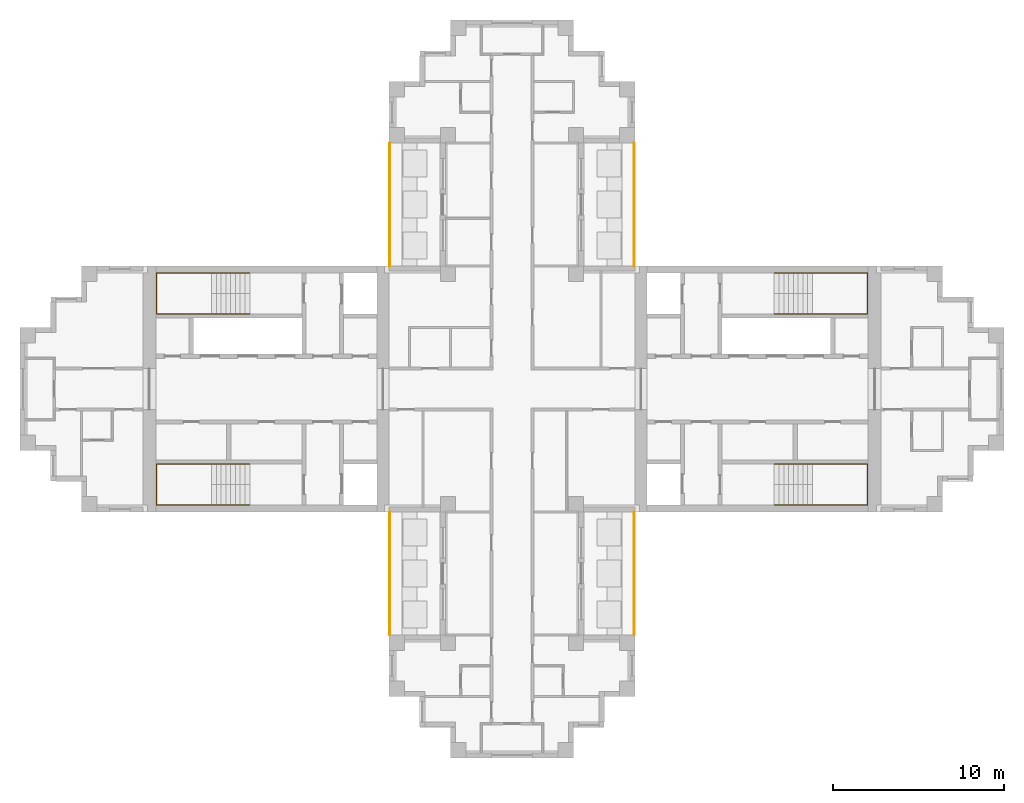
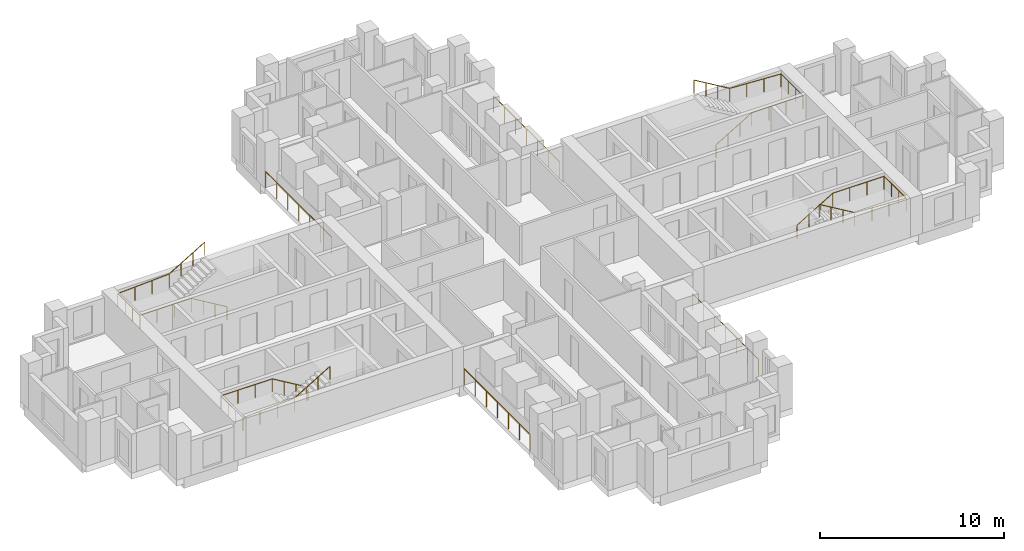
# One storey, part 9 of 10: 8 railings.
"""IFC4 building model written with IfcOpenShell, lengths in metres."""

from ifc_helpers import new_model, si_unit, direction, frame, origin, origin_2d, place, context, subcontext, project, spatial, circle, extrude, material, type_object, element, save


model = new_model("IFC4")

# Units and contexts
model_context = context("Model", 3, precision=1e-05, world=origin(), true_north=direction((0.0, 1.0)))
body_context = subcontext(model_context, "Body", "Model", "MODEL_VIEW")
ifc_project = project(units=[si_unit("LENGTHUNIT", "METRE"), si_unit("AREAUNIT", "SQUARE_METRE"), si_unit("VOLUMEUNIT", "CUBIC_METRE"), si_unit("PLANEANGLEUNIT", "RADIAN"), si_unit("MASSUNIT", "GRAM", prefix="KILO")], contexts=[model_context])

# Site, building, storey
site_placement = place(None, origin())
site = spatial("IfcSite", under=ifc_project, at=site_placement, CompositionType="ELEMENT")
building_placement = place(site_placement, origin())
building = spatial("IfcBuilding", under=site, at=building_placement, Name="Fustian Cross Tower", CompositionType="ELEMENT")
storey_placement = place(building_placement, frame((0.0, 0.0, 225.89990234375)))
storey = spatial("IfcBuildingStorey", under=building, at=storey_placement, Name="L71", CompositionType="ELEMENT", Elevation=225.89990234375)

# Railings
ifc_material_1 = material(Name="Stainless steel and glass", Category="steel")
railing_type_1 = type_object("IfcRailingType", Name="GR1 BALCONY GUARD 1100", PredefinedType="GUARDRAIL", material=ifc_material_1)
for number, where, name in (
    (1, (7.14990234375, 7.199951171875, 0.0), "Balcony guard"),
    (2, (-7.14990234375, 7.199951171875, 0.0), "Balcony guard"),
    (3, (7.14990234375, -14.39990234375, 0.0), "Balcony guard"),
    (4, (-7.14990234375, -14.39990234375, 0.0), "Balcony guard"),
):
    element("IfcRailing", number, at=place(storey_placement, frame(where)), inside=storey, type_object=railing_type_1, Name=name, PredefinedType="GUARDRAIL", context=body_context, shape_type="SweptSolid", body=[
        extrude(circle(Radius=0.02392578125, at=origin_2d()), frame((0.0, 0.0, 1.076171875), z_axis=(0.0, 1.0, 0.0), x_axis=(-1.0, 0.0, 0.0)), (0.0, 0.0, 1.0), 7.199951171875),
        extrude(circle(Radius=0.02099609375, at=origin_2d()), origin(), (0.0, 0.0, 1.0), 1.052001953125),
        extrude(circle(Radius=0.02099609375, at=origin_2d()), frame((0.0, 1.199951171875, 0.0)), (0.0, 0.0, 1.0), 1.052001953125),
        extrude(circle(Radius=0.02099609375, at=origin_2d()), frame((0.0, 2.39990234375, 0.0)), (0.0, 0.0, 1.0), 1.052001953125),
        extrude(circle(Radius=0.02099609375, at=origin_2d()), frame((0.0, 3.60009765625, 0.0)), (0.0, 0.0, 1.0), 1.052001953125),
        extrude(circle(Radius=0.02099609375, at=origin_2d()), frame((0.0, 4.800048828125, 0.0)), (0.0, 0.0, 1.0), 1.052001953125),
        extrude(circle(Radius=0.02099609375, at=origin_2d()), frame((0.0, 6.0, 0.0)), (0.0, 0.0, 1.0), 1.052001953125),
        extrude(circle(Radius=0.02099609375, at=origin_2d()), frame((0.0, 7.199951171875, 0.0)), (0.0, 0.0, 1.0), 1.052001953125),
    ])
ifc_material_2 = material(Name="Stainless steel", Category="steel")
railing_type_2 = type_object("IfcRailingType", Name="STAIR HANDRAIL", PredefinedType="HANDRAIL", material=ifc_material_2)
railing_1_placement = place(storey_placement, frame((15.35009765625, 4.39990234375, 0.166748046875)))
element("IfcRailing", 5, at=railing_1_placement, inside=storey, type_object=railing_type_2, Name="Stair ST1 handrail 1", PredefinedType="HANDRAIL", context=body_context, shape_type="SweptSolid", body=[
    extrude(circle(Radius=0.02490234375, at=origin_2d()), frame((0.0, 0.0, 0.875), z_axis=(0.859305625298, 0.0, 0.511462454469), x_axis=(0.0, 1.0, 0.0)), (0.0, 0.0, 1.0), 2.606689453125),
    extrude(circle(Radius=0.02490234375, at=origin_2d()), frame((2.239990234375, 0.0, 2.2080078125), z_axis=(1.0, 0.0, 0.0), x_axis=(0.0, 1.0, 0.0)), (0.0, 0.0, 1.0), 3.219970703125),
    extrude(circle(Radius=0.02490234375, at=origin_2d()), frame((5.4599609375, 0.0, 2.2080078125), z_axis=(0.0, 1.0, 0.0), x_axis=(-1.0, 0.0, 0.0)), (0.0, 0.0, 1.0), 2.400146484375),
    extrude(circle(Radius=0.02490234375, at=origin_2d()), frame((5.4599609375, 2.400146484375, 2.2080078125), z_axis=(-0.998661817807, 0.0, 0.051716280352), x_axis=(0.0, -1.0, 0.0)), (0.0, 0.0, 1.0), 3.224365234375),
    extrude(circle(Radius=0.02490234375, at=origin_2d()), frame((2.239990234375, 2.400146484375, 2.375), z_axis=(-0.859305625298, 0.0, 0.511462454469), x_axis=(0.0, -1.0, 0.0)), (0.0, 0.0, 1.0), 2.606689453125),
    extrude(circle(Radius=0.02001953125, at=origin_2d()), origin(), (0.0, 0.0, 1.0), 0.849853515625),
    extrude(circle(Radius=0.02001953125, at=origin_2d()), frame((0.74658203125, 0.0, 0.4443359375)), (0.0, 0.0, 1.0), 0.849853515625),
    extrude(circle(Radius=0.02001953125, at=origin_2d()), frame((1.493408203125, 0.0, 0.888916015625)), (0.0, 0.0, 1.0), 0.849853515625),
    extrude(circle(Radius=0.02001953125, at=origin_2d()), frame((2.239990234375, 0.0, 1.333251953125)), (0.0, 0.0, 1.0), 0.849853515625),
    extrude(circle(Radius=0.02001953125, at=origin_2d()), frame((3.313232421875, 0.0, 1.333251953125)), (0.0, 0.0, 1.0), 0.849853515625),
    extrude(circle(Radius=0.02001953125, at=origin_2d()), frame((4.38671875, 0.0, 1.333251953125)), (0.0, 0.0, 1.0), 0.849853515625),
    extrude(circle(Radius=0.02001953125, at=origin_2d()), frame((5.4599609375, 0.0, 1.333251953125)), (0.0, 0.0, 1.0), 0.849853515625),
    extrude(circle(Radius=0.02001953125, at=origin_2d()), frame((5.4599609375, 0.800048828125, 1.333251953125)), (0.0, 0.0, 1.0), 0.849853515625),
    extrude(circle(Radius=0.02001953125, at=origin_2d()), frame((5.4599609375, 1.60009765625, 1.333251953125)), (0.0, 0.0, 1.0), 0.849853515625),
    extrude(circle(Radius=0.02001953125, at=origin_2d()), frame((5.4599609375, 2.400146484375, 1.333251953125)), (0.0, 0.0, 1.0), 0.849853515625),
    extrude(circle(Radius=0.02001953125, at=origin_2d()), frame((4.38671875, 2.400146484375, 1.388916015625)), (0.0, 0.0, 1.0), 0.849853515625),
    extrude(circle(Radius=0.02001953125, at=origin_2d()), frame((3.313232421875, 2.400146484375, 1.4443359375)), (0.0, 0.0, 1.0), 0.849853515625),
    extrude(circle(Radius=0.02001953125, at=origin_2d()), frame((2.239990234375, 2.400146484375, 1.5)), (0.0, 0.0, 1.0), 0.849853515625),
    extrude(circle(Radius=0.02001953125, at=origin_2d()), frame((1.493408203125, 2.400146484375, 1.9443359375)), (0.0, 0.0, 1.0), 0.849853515625),
    extrude(circle(Radius=0.02001953125, at=origin_2d()), frame((0.74658203125, 2.400146484375, 2.388916015625)), (0.0, 0.0, 1.0), 0.849853515625),
    extrude(circle(Radius=0.02001953125, at=origin_2d()), frame((0.0, 2.400146484375, 2.833251953125)), (0.0, 0.0, 1.0), 0.849853515625),
])
railing_2_placement = place(storey_placement, frame((15.35009765625, -4.39990234375, 0.166748046875)))
element("IfcRailing", 6, at=railing_2_placement, inside=storey, type_object=railing_type_2, Name="Stair ST2 handrail 1", PredefinedType="HANDRAIL", context=body_context, shape_type="SweptSolid", body=[
    extrude(circle(Radius=0.02490234375, at=origin_2d()), frame((0.0, 0.0, 0.875), z_axis=(0.859305625298, 0.0, 0.511462454469), x_axis=(0.0, 1.0, 0.0)), (0.0, 0.0, 1.0), 2.606689453125),
    extrude(circle(Radius=0.02490234375, at=origin_2d()), frame((2.239990234375, 0.0, 2.2080078125), z_axis=(1.0, 0.0, 0.0), x_axis=(0.0, 1.0, 0.0)), (0.0, 0.0, 1.0), 3.219970703125),
    extrude(circle(Radius=0.02490234375, at=origin_2d()), frame((5.4599609375, 0.0, 2.2080078125), z_axis=(0.0, -1.0, 0.0), x_axis=(1.0, 0.0, 0.0)), (0.0, 0.0, 1.0), 2.400146484375),
    extrude(circle(Radius=0.02490234375, at=origin_2d()), frame((5.4599609375, -2.400146484375, 2.2080078125), z_axis=(-0.998661817807, 0.0, 0.051716280352), x_axis=(0.0, -1.0, 0.0)), (0.0, 0.0, 1.0), 3.224365234375),
    extrude(circle(Radius=0.02490234375, at=origin_2d()), frame((2.239990234375, -2.400146484375, 2.375), z_axis=(-0.859305625298, 0.0, 0.511462454469), x_axis=(0.0, -1.0, 0.0)), (0.0, 0.0, 1.0), 2.606689453125),
    extrude(circle(Radius=0.02001953125, at=origin_2d()), origin(), (0.0, 0.0, 1.0), 0.849853515625),
    extrude(circle(Radius=0.02001953125, at=origin_2d()), frame((0.74658203125, 0.0, 0.4443359375)), (0.0, 0.0, 1.0), 0.849853515625),
    extrude(circle(Radius=0.02001953125, at=origin_2d()), frame((1.493408203125, 0.0, 0.888916015625)), (0.0, 0.0, 1.0), 0.849853515625),
    extrude(circle(Radius=0.02001953125, at=origin_2d()), frame((2.239990234375, 0.0, 1.333251953125)), (0.0, 0.0, 1.0), 0.849853515625),
    extrude(circle(Radius=0.02001953125, at=origin_2d()), frame((3.313232421875, 0.0, 1.333251953125)), (0.0, 0.0, 1.0), 0.849853515625),
    extrude(circle(Radius=0.02001953125, at=origin_2d()), frame((4.38671875, 0.0, 1.333251953125)), (0.0, 0.0, 1.0), 0.849853515625),
    extrude(circle(Radius=0.02001953125, at=origin_2d()), frame((5.4599609375, 0.0, 1.333251953125)), (0.0, 0.0, 1.0), 0.849853515625),
    extrude(circle(Radius=0.02001953125, at=origin_2d()), frame((5.4599609375, -0.800048828125, 1.333251953125)), (0.0, 0.0, 1.0), 0.849853515625),
    extrude(circle(Radius=0.02001953125, at=origin_2d()), frame((5.4599609375, -1.60009765625, 1.333251953125)), (0.0, 0.0, 1.0), 0.849853515625),
    extrude(circle(Radius=0.02001953125, at=origin_2d()), frame((5.4599609375, -2.400146484375, 1.333251953125)), (0.0, 0.0, 1.0), 0.849853515625),
    extrude(circle(Radius=0.02001953125, at=origin_2d()), frame((4.38671875, -2.400146484375, 1.388916015625)), (0.0, 0.0, 1.0), 0.849853515625),
    extrude(circle(Radius=0.02001953125, at=origin_2d()), frame((3.313232421875, -2.400146484375, 1.4443359375)), (0.0, 0.0, 1.0), 0.849853515625),
    extrude(circle(Radius=0.02001953125, at=origin_2d()), frame((2.239990234375, -2.400146484375, 1.5)), (0.0, 0.0, 1.0), 0.849853515625),
    extrude(circle(Radius=0.02001953125, at=origin_2d()), frame((1.493408203125, -2.400146484375, 1.9443359375)), (0.0, 0.0, 1.0), 0.849853515625),
    extrude(circle(Radius=0.02001953125, at=origin_2d()), frame((0.74658203125, -2.400146484375, 2.388916015625)), (0.0, 0.0, 1.0), 0.849853515625),
    extrude(circle(Radius=0.02001953125, at=origin_2d()), frame((0.0, -2.400146484375, 2.833251953125)), (0.0, 0.0, 1.0), 0.849853515625),
])
railing_3_placement = place(storey_placement, frame((-15.35009765625, 4.39990234375, 0.166748046875)))
element("IfcRailing", 7, at=railing_3_placement, inside=storey, type_object=railing_type_2, Name="Stair ST3 handrail 1", PredefinedType="HANDRAIL", context=body_context, shape_type="SweptSolid", body=[
    extrude(circle(Radius=0.02490234375, at=origin_2d()), frame((0.0, 0.0, 0.875), z_axis=(-0.859305625298, 0.0, 0.511462454469), x_axis=(0.0, -1.0, 0.0)), (0.0, 0.0, 1.0), 2.606689453125),
    extrude(circle(Radius=0.02490234375, at=origin_2d()), frame((-2.239990234375, 0.0, 2.2080078125), z_axis=(-1.0, 0.0, 0.0), x_axis=(0.0, -1.0, 0.0)), (0.0, 0.0, 1.0), 3.219970703125),
    extrude(circle(Radius=0.02490234375, at=origin_2d()), frame((-5.4599609375, 0.0, 2.2080078125), z_axis=(0.0, 1.0, 0.0), x_axis=(-1.0, 0.0, 0.0)), (0.0, 0.0, 1.0), 2.400146484375),
    extrude(circle(Radius=0.02490234375, at=origin_2d()), frame((-5.4599609375, 2.400146484375, 2.2080078125), z_axis=(0.998661817807, 0.0, 0.051716280352), x_axis=(0.0, 1.0, 0.0)), (0.0, 0.0, 1.0), 3.224365234375),
    extrude(circle(Radius=0.02490234375, at=origin_2d()), frame((-2.239990234375, 2.400146484375, 2.375), z_axis=(0.859305625298, 0.0, 0.511462454469), x_axis=(0.0, 1.0, 0.0)), (0.0, 0.0, 1.0), 2.606689453125),
    extrude(circle(Radius=0.02001953125, at=origin_2d()), origin(), (0.0, 0.0, 1.0), 0.849853515625),
    extrude(circle(Radius=0.02001953125, at=origin_2d()), frame((-0.74658203125, 0.0, 0.4443359375)), (0.0, 0.0, 1.0), 0.849853515625),
    extrude(circle(Radius=0.02001953125, at=origin_2d()), frame((-1.493408203125, 0.0, 0.888916015625)), (0.0, 0.0, 1.0), 0.849853515625),
    extrude(circle(Radius=0.02001953125, at=origin_2d()), frame((-2.239990234375, 0.0, 1.333251953125)), (0.0, 0.0, 1.0), 0.849853515625),
    extrude(circle(Radius=0.02001953125, at=origin_2d()), frame((-3.313232421875, 0.0, 1.333251953125)), (0.0, 0.0, 1.0), 0.849853515625),
    extrude(circle(Radius=0.02001953125, at=origin_2d()), frame((-4.38671875, 0.0, 1.333251953125)), (0.0, 0.0, 1.0), 0.849853515625),
    extrude(circle(Radius=0.02001953125, at=origin_2d()), frame((-5.4599609375, 0.0, 1.333251953125)), (0.0, 0.0, 1.0), 0.849853515625),
    extrude(circle(Radius=0.02001953125, at=origin_2d()), frame((-5.4599609375, 0.800048828125, 1.333251953125)), (0.0, 0.0, 1.0), 0.849853515625),
    extrude(circle(Radius=0.02001953125, at=origin_2d()), frame((-5.4599609375, 1.60009765625, 1.333251953125)), (0.0, 0.0, 1.0), 0.849853515625),
    extrude(circle(Radius=0.02001953125, at=origin_2d()), frame((-5.4599609375, 2.400146484375, 1.333251953125)), (0.0, 0.0, 1.0), 0.849853515625),
    extrude(circle(Radius=0.02001953125, at=origin_2d()), frame((-4.38671875, 2.400146484375, 1.388916015625)), (0.0, 0.0, 1.0), 0.849853515625),
    extrude(circle(Radius=0.02001953125, at=origin_2d()), frame((-3.313232421875, 2.400146484375, 1.4443359375)), (0.0, 0.0, 1.0), 0.849853515625),
    extrude(circle(Radius=0.02001953125, at=origin_2d()), frame((-2.239990234375, 2.400146484375, 1.5)), (0.0, 0.0, 1.0), 0.849853515625),
    extrude(circle(Radius=0.02001953125, at=origin_2d()), frame((-1.493408203125, 2.400146484375, 1.9443359375)), (0.0, 0.0, 1.0), 0.849853515625),
    extrude(circle(Radius=0.02001953125, at=origin_2d()), frame((-0.74658203125, 2.400146484375, 2.388916015625)), (0.0, 0.0, 1.0), 0.849853515625),
    extrude(circle(Radius=0.02001953125, at=origin_2d()), frame((0.0, 2.400146484375, 2.833251953125)), (0.0, 0.0, 1.0), 0.849853515625),
])
railing_4_placement = place(storey_placement, frame((-15.35009765625, -4.39990234375, 0.166748046875)))
element("IfcRailing", 8, at=railing_4_placement, inside=storey, type_object=railing_type_2, Name="Stair ST4 handrail 1", PredefinedType="HANDRAIL", context=body_context, shape_type="SweptSolid", body=[
    extrude(circle(Radius=0.02490234375, at=origin_2d()), frame((0.0, 0.0, 0.875), z_axis=(-0.859305625298, 0.0, 0.511462454469), x_axis=(0.0, -1.0, 0.0)), (0.0, 0.0, 1.0), 2.606689453125),
    extrude(circle(Radius=0.02490234375, at=origin_2d()), frame((-2.239990234375, 0.0, 2.2080078125), z_axis=(-1.0, 0.0, 0.0), x_axis=(0.0, -1.0, 0.0)), (0.0, 0.0, 1.0), 3.219970703125),
    extrude(circle(Radius=0.02490234375, at=origin_2d()), frame((-5.4599609375, 0.0, 2.2080078125), z_axis=(0.0, -1.0, 0.0), x_axis=(1.0, 0.0, 0.0)), (0.0, 0.0, 1.0), 2.400146484375),
    extrude(circle(Radius=0.02490234375, at=origin_2d()), frame((-5.4599609375, -2.400146484375, 2.2080078125), z_axis=(0.998661817807, 0.0, 0.051716280352), x_axis=(0.0, 1.0, 0.0)), (0.0, 0.0, 1.0), 3.224365234375),
    extrude(circle(Radius=0.02490234375, at=origin_2d()), frame((-2.239990234375, -2.400146484375, 2.375), z_axis=(0.859305625298, 0.0, 0.511462454469), x_axis=(0.0, 1.0, 0.0)), (0.0, 0.0, 1.0), 2.606689453125),
    extrude(circle(Radius=0.02001953125, at=origin_2d()), origin(), (0.0, 0.0, 1.0), 0.849853515625),
    extrude(circle(Radius=0.02001953125, at=origin_2d()), frame((-0.74658203125, 0.0, 0.4443359375)), (0.0, 0.0, 1.0), 0.849853515625),
    extrude(circle(Radius=0.02001953125, at=origin_2d()), frame((-1.493408203125, 0.0, 0.888916015625)), (0.0, 0.0, 1.0), 0.849853515625),
    extrude(circle(Radius=0.02001953125, at=origin_2d()), frame((-2.239990234375, 0.0, 1.333251953125)), (0.0, 0.0, 1.0), 0.849853515625),
    extrude(circle(Radius=0.02001953125, at=origin_2d()), frame((-3.313232421875, 0.0, 1.333251953125)), (0.0, 0.0, 1.0), 0.849853515625),
    extrude(circle(Radius=0.02001953125, at=origin_2d()), frame((-4.38671875, 0.0, 1.333251953125)), (0.0, 0.0, 1.0), 0.849853515625),
    extrude(circle(Radius=0.02001953125, at=origin_2d()), frame((-5.4599609375, 0.0, 1.333251953125)), (0.0, 0.0, 1.0), 0.849853515625),
    extrude(circle(Radius=0.02001953125, at=origin_2d()), frame((-5.4599609375, -0.800048828125, 1.333251953125)), (0.0, 0.0, 1.0), 0.849853515625),
    extrude(circle(Radius=0.02001953125, at=origin_2d()), frame((-5.4599609375, -1.60009765625, 1.333251953125)), (0.0, 0.0, 1.0), 0.849853515625),
    extrude(circle(Radius=0.02001953125, at=origin_2d()), frame((-5.4599609375, -2.400146484375, 1.333251953125)), (0.0, 0.0, 1.0), 0.849853515625),
    extrude(circle(Radius=0.02001953125, at=origin_2d()), frame((-4.38671875, -2.400146484375, 1.388916015625)), (0.0, 0.0, 1.0), 0.849853515625),
    extrude(circle(Radius=0.02001953125, at=origin_2d()), frame((-3.313232421875, -2.400146484375, 1.4443359375)), (0.0, 0.0, 1.0), 0.849853515625),
    extrude(circle(Radius=0.02001953125, at=origin_2d()), frame((-2.239990234375, -2.400146484375, 1.5)), (0.0, 0.0, 1.0), 0.849853515625),
    extrude(circle(Radius=0.02001953125, at=origin_2d()), frame((-1.493408203125, -2.400146484375, 1.9443359375)), (0.0, 0.0, 1.0), 0.849853515625),
    extrude(circle(Radius=0.02001953125, at=origin_2d()), frame((-0.74658203125, -2.400146484375, 2.388916015625)), (0.0, 0.0, 1.0), 0.849853515625),
    extrude(circle(Radius=0.02001953125, at=origin_2d()), frame((0.0, -2.400146484375, 2.833251953125)), (0.0, 0.0, 1.0), 0.849853515625),
])

save(model, "model.ifc")
